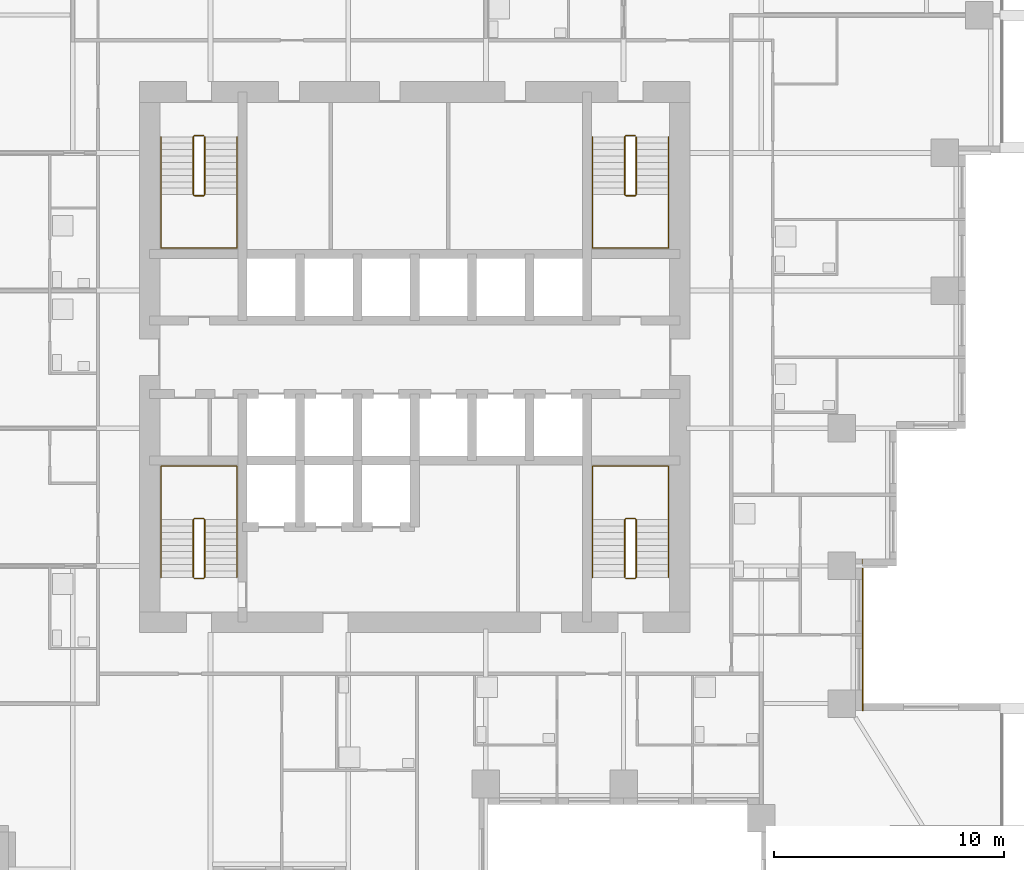
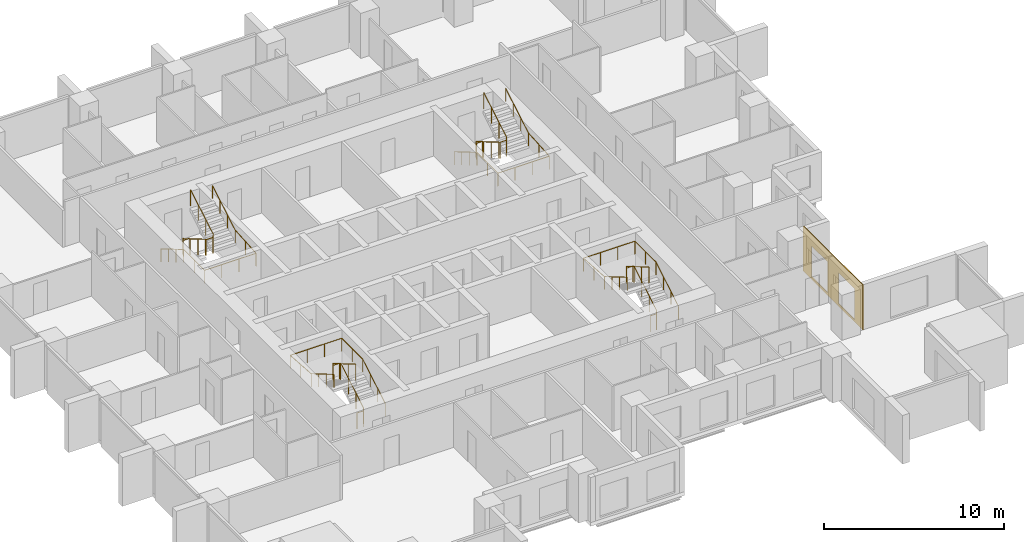
# One storey, part 9 of 10: 8 railings, 1 covering.
"""IFC4 building model written with IfcOpenShell, lengths in metres."""

from ifc_helpers import new_model, si_unit, direction, frame, origin, origin_2d, place, context, subcontext, project, spatial, polyline, circle, outline, extrude, material, layer, layer_set, type_object, element, save


model = new_model("IFC4")

# Units and contexts
model_context = context("Model", 3, precision=1e-05, world=origin(), true_north=direction((0.0, 1.0)))
body_context = subcontext(model_context, "Body", "Model", "MODEL_VIEW")
ifc_project = project(units=[si_unit("LENGTHUNIT", "METRE"), si_unit("AREAUNIT", "SQUARE_METRE"), si_unit("VOLUMEUNIT", "CUBIC_METRE"), si_unit("PLANEANGLEUNIT", "RADIAN"), si_unit("MASSUNIT", "GRAM", prefix="KILO")], contexts=[model_context])

# Site, building, storey
site_placement = place(None, origin())
site = spatial("IfcSite", under=ifc_project, at=site_placement, CompositionType="ELEMENT")
building_placement = place(site_placement, origin())
building = spatial("IfcBuilding", under=site, at=building_placement, Name="Amberfall Residences", CompositionType="ELEMENT")
storey_placement = place(building_placement, frame((0.0, 0.0, 49.89990234375)))
storey = spatial("IfcBuildingStorey", under=building, at=storey_placement, Name="L13", CompositionType="ELEMENT", Elevation=49.89990234375)

# Covering
ifc_material_1 = material(Name="Pale limestone cladding", Category="masonry")
ifc_layer = layer(ifc_material_1, 0.050048828125)
ifc_layer_set = layer_set([ifc_layer], Name="Limestone fascia 50")
covering_type = type_object("IfcCoveringType", Name="Limestone fascia 50", PredefinedType="CLADDING", material=ifc_layer_set)
covering_placement = place(storey_placement, frame((94.0, 30.10009765625, 3.050048828125), z_axis=(-1.0, 0.0, 0.0), x_axis=(0.0, 1.0, 0.0)))
element("IfcCovering", 1, at=covering_placement, inside=storey, type_object=covering_type, Name="Pale limestone cladding L13 E", PredefinedType="CLADDING", context=body_context, shape_type="SweptSolid", body=[
    extrude(outline(polyline([(0.0, 0.0), (6.599853515625, 0.0), (6.599853515625, 3.050048828125), (0.0, 3.050048828125), (0.0, 0.0)]), holes=[polyline([(0.89990234375, 0.800048828125), (2.699951171875, 0.800048828125), (2.699951171875, 2.89990234375), (0.89990234375, 2.89990234375), (0.89990234375, 0.800048828125)]), polyline([(3.89990234375, 0.800048828125), (5.699951171875, 0.800048828125), (5.699951171875, 2.89990234375), (3.89990234375, 2.89990234375), (3.89990234375, 0.800048828125)])]), origin(), (0.0, 0.0, -1.0), 0.050048828125),
])

# Railings
ifc_material_2 = material(Name="Stainless steel 316", Category="steel")
railing_type_1 = type_object("IfcRailingType", Name="Stair guard 1100", PredefinedType="GUARDRAIL", material=ifc_material_2)
railing_1_placement = place(storey_placement, frame((64.89990234375, 35.85009765625, 0.0)))
element("IfcRailing", 2, at=railing_1_placement, inside=storey, type_object=railing_type_1, Name="L13 stair 1 guard", PredefinedType="GUARDRAIL", context=body_context, shape_type="SweptSolid", body=[
    extrude(circle(Radius=0.02392578125, at=origin_2d()), frame((0.0, 0.0, 1.076171875), z_axis=(1.0, 0.0, 0.0), x_axis=(0.0, 1.0, 0.0)), (0.0, 0.0, 1.0), 0.400146484375),
    extrude(circle(Radius=0.02392578125, at=origin_2d()), frame((0.400146484375, 0.0, 1.076171875), z_axis=(0.278810427259, 0.277450376394, 0.919394384522), x_axis=(-0.705375805398, 0.708833529934, 0.0)), (0.0, 0.0, 1.0), 0.179443359375),
    extrude(circle(Radius=0.02392578125, at=origin_2d()), frame((0.4501953125, 0.0498046875, 1.2412109375), z_axis=(0.0, 0.86152411907, 0.507716645641), x_axis=(-1.0, 0.0, 0.0)), (0.0, 0.0, 1.0), 2.925048828125),
    extrude(circle(Radius=0.02392578125, at=origin_2d()), frame((0.4501953125, 2.56982421875, 2.72607421875), z_axis=(-0.707106781187, 0.707106781187, 0.0), x_axis=(-0.707106781187, -0.707106781187, 0.0)), (0.0, 0.0, 1.0), 0.07080078125),
    extrude(circle(Radius=0.02392578125, at=origin_2d()), frame((0.400146484375, 2.619873046875, 2.72607421875), z_axis=(-1.0, 0.0, 0.0), x_axis=(0.0, -1.0, 0.0)), (0.0, 0.0, 1.0), 0.400146484375),
    extrude(circle(Radius=0.02392578125, at=origin_2d()), frame((0.0, 2.619873046875, 2.72607421875), z_axis=(-0.277450376394, -0.278810427259, 0.919394384522), x_axis=(0.708833529934, -0.705375805398, 0.0)), (0.0, 0.0, 1.0), 0.179443359375),
    extrude(circle(Radius=0.02392578125, at=origin_2d()), frame((-0.0498046875, 2.56982421875, 2.89111328125), z_axis=(0.0, -0.861560626758, 0.507654692109), x_axis=(1.0, 0.0, 0.0)), (0.0, 0.0, 1.0), 2.925048828125),
    extrude(circle(Radius=0.02099609375, at=origin_2d()), origin(), (0.0, 0.0, 1.0), 1.052001953125),
    extrude(circle(Radius=0.02099609375, at=origin_2d()), frame((0.400146484375, 0.0, 0.0)), (0.0, 0.0, 1.0), 1.052001953125),
    extrude(circle(Radius=0.02099609375, at=origin_2d()), frame((0.4501953125, 0.0498046875, 0.1650390625)), (0.0, 0.0, 1.0), 1.052001953125),
    extrude(circle(Radius=0.02099609375, at=origin_2d()), frame((0.4501953125, 0.889892578125, 0.66015625)), (0.0, 0.0, 1.0), 1.052001953125),
    extrude(circle(Radius=0.02099609375, at=origin_2d()), frame((0.4501953125, 1.729736328125, 1.155029296875)), (0.0, 0.0, 1.0), 1.052001953125),
    extrude(circle(Radius=0.02099609375, at=origin_2d()), frame((0.4501953125, 2.56982421875, 1.650146484375)), (0.0, 0.0, 1.0), 1.052001953125),
    extrude(circle(Radius=0.02099609375, at=origin_2d()), frame((0.400146484375, 2.619873046875, 1.650146484375)), (0.0, 0.0, 1.0), 1.052001953125),
    extrude(circle(Radius=0.02099609375, at=origin_2d()), frame((0.0, 2.619873046875, 1.650146484375)), (0.0, 0.0, 1.0), 1.052001953125),
    extrude(circle(Radius=0.02099609375, at=origin_2d()), frame((-0.0498046875, 2.56982421875, 1.815185546875)), (0.0, 0.0, 1.0), 1.052001953125),
    extrude(circle(Radius=0.02099609375, at=origin_2d()), frame((-0.0498046875, 1.729736328125, 2.31005859375)), (0.0, 0.0, 1.0), 1.052001953125),
    extrude(circle(Radius=0.02099609375, at=origin_2d()), frame((-0.0498046875, 0.889892578125, 2.80517578125)), (0.0, 0.0, 1.0), 1.052001953125),
    extrude(circle(Radius=0.02099609375, at=origin_2d()), frame((-0.0498046875, 0.0498046875, 3.300048828125)), (0.0, 0.0, 1.0), 1.052001953125),
])
railing_2_placement = place(storey_placement, frame((83.699951171875, 35.85009765625, 0.0)))
element("IfcRailing", 3, at=railing_2_placement, inside=storey, type_object=railing_type_1, Name="L13 stair 2 guard", PredefinedType="GUARDRAIL", context=body_context, shape_type="SweptSolid", body=[
    extrude(circle(Radius=0.02392578125, at=origin_2d()), frame((0.0, 0.0, 1.076171875), z_axis=(1.0, 0.0, 0.0), x_axis=(0.0, 1.0, 0.0)), (0.0, 0.0, 1.0), 0.400146484375),
    extrude(circle(Radius=0.02392578125, at=origin_2d()), frame((0.400146484375, 0.0, 1.076171875), z_axis=(0.27755538755, 0.27755538755, 0.919742362667), x_axis=(-0.707106781187, 0.707106781187, 0.0)), (0.0, 0.0, 1.0), 0.179443359375),
    extrude(circle(Radius=0.02392578125, at=origin_2d()), frame((0.449951171875, 0.0498046875, 1.2412109375), z_axis=(0.0, 0.86152411907, 0.507716645641), x_axis=(-1.0, 0.0, 0.0)), (0.0, 0.0, 1.0), 2.925048828125),
    extrude(circle(Radius=0.02392578125, at=origin_2d()), frame((0.449951171875, 2.56982421875, 2.72607421875), z_axis=(-0.705375805398, 0.708833529934, 0.0), x_axis=(-0.708833529934, -0.705375805398, 0.0)), (0.0, 0.0, 1.0), 0.070556640625),
    extrude(circle(Radius=0.02392578125, at=origin_2d()), frame((0.400146484375, 2.619873046875, 2.72607421875), z_axis=(-1.0, 0.0, 0.0), x_axis=(0.0, -1.0, 0.0)), (0.0, 0.0, 1.0), 0.400146484375),
    extrude(circle(Radius=0.02392578125, at=origin_2d()), frame((0.0, 2.619873046875, 2.72607421875), z_axis=(-0.278705021027, -0.278705021027, 0.919046801044), x_axis=(0.707106781187, -0.707106781187, 0.0)), (0.0, 0.0, 1.0), 0.1796875),
    extrude(circle(Radius=0.02392578125, at=origin_2d()), frame((-0.050048828125, 2.56982421875, 2.89111328125), z_axis=(0.0, -0.861560626758, 0.507654692109), x_axis=(1.0, 0.0, 0.0)), (0.0, 0.0, 1.0), 2.925048828125),
    extrude(circle(Radius=0.02099609375, at=origin_2d()), origin(), (0.0, 0.0, 1.0), 1.052001953125),
    extrude(circle(Radius=0.02099609375, at=origin_2d()), frame((0.400146484375, 0.0, 0.0)), (0.0, 0.0, 1.0), 1.052001953125),
    extrude(circle(Radius=0.02099609375, at=origin_2d()), frame((0.449951171875, 0.0498046875, 0.1650390625)), (0.0, 0.0, 1.0), 1.052001953125),
    extrude(circle(Radius=0.02099609375, at=origin_2d()), frame((0.449951171875, 0.889892578125, 0.66015625)), (0.0, 0.0, 1.0), 1.052001953125),
    extrude(circle(Radius=0.02099609375, at=origin_2d()), frame((0.449951171875, 1.729736328125, 1.155029296875)), (0.0, 0.0, 1.0), 1.052001953125),
    extrude(circle(Radius=0.02099609375, at=origin_2d()), frame((0.449951171875, 2.56982421875, 1.650146484375)), (0.0, 0.0, 1.0), 1.052001953125),
    extrude(circle(Radius=0.02099609375, at=origin_2d()), frame((0.400146484375, 2.619873046875, 1.650146484375)), (0.0, 0.0, 1.0), 1.052001953125),
    extrude(circle(Radius=0.02099609375, at=origin_2d()), frame((0.0, 2.619873046875, 1.650146484375)), (0.0, 0.0, 1.0), 1.052001953125),
    extrude(circle(Radius=0.02099609375, at=origin_2d()), frame((-0.050048828125, 2.56982421875, 1.815185546875)), (0.0, 0.0, 1.0), 1.052001953125),
    extrude(circle(Radius=0.02099609375, at=origin_2d()), frame((-0.050048828125, 1.729736328125, 2.31005859375)), (0.0, 0.0, 1.0), 1.052001953125),
    extrude(circle(Radius=0.02099609375, at=origin_2d()), frame((-0.050048828125, 0.889892578125, 2.80517578125)), (0.0, 0.0, 1.0), 1.052001953125),
    extrude(circle(Radius=0.02099609375, at=origin_2d()), frame((-0.050048828125, 0.0498046875, 3.300048828125)), (0.0, 0.0, 1.0), 1.052001953125),
])
railing_3_placement = place(storey_placement, frame((84.10009765625, 55.14990234375, 0.0)))
element("IfcRailing", 4, at=railing_3_placement, inside=storey, type_object=railing_type_1, Name="L13 stair 3 guard", PredefinedType="GUARDRAIL", context=body_context, shape_type="SweptSolid", body=[
    extrude(circle(Radius=0.02392578125, at=origin_2d()), frame((0.0, 0.0, 1.076171875), z_axis=(-1.0, 0.0, 0.0), x_axis=(0.0, -1.0, 0.0)), (0.0, 0.0, 1.0), 0.400146484375),
    extrude(circle(Radius=0.02392578125, at=origin_2d()), frame((-0.400146484375, 0.0, 1.076171875), z_axis=(-0.278810427259, -0.277450376394, 0.919394384522), x_axis=(0.705375805398, -0.708833529934, 0.0)), (0.0, 0.0, 1.0), 0.179443359375),
    extrude(circle(Radius=0.02392578125, at=origin_2d()), frame((-0.4501953125, -0.0498046875, 1.2412109375), z_axis=(0.0, -0.86152411907, 0.507716645641), x_axis=(1.0, 0.0, 0.0)), (0.0, 0.0, 1.0), 2.925048828125),
    extrude(circle(Radius=0.02392578125, at=origin_2d()), frame((-0.4501953125, -2.56982421875, 2.72607421875), z_axis=(0.707106781187, -0.707106781187, 0.0), x_axis=(0.707106781187, 0.707106781187, 0.0)), (0.0, 0.0, 1.0), 0.07080078125),
    extrude(circle(Radius=0.02392578125, at=origin_2d()), frame((-0.400146484375, -2.619873046875, 2.72607421875), z_axis=(1.0, 0.0, 0.0), x_axis=(0.0, 1.0, 0.0)), (0.0, 0.0, 1.0), 0.400146484375),
    extrude(circle(Radius=0.02392578125, at=origin_2d()), frame((0.0, -2.619873046875, 2.72607421875), z_axis=(0.277450376394, 0.278810427259, 0.919394384522), x_axis=(-0.708833529934, 0.705375805398, 0.0)), (0.0, 0.0, 1.0), 0.179443359375),
    extrude(circle(Radius=0.02392578125, at=origin_2d()), frame((0.0498046875, -2.56982421875, 2.89111328125), z_axis=(0.0, 0.861560626758, 0.507654692109), x_axis=(-1.0, 0.0, 0.0)), (0.0, 0.0, 1.0), 2.925048828125),
    extrude(circle(Radius=0.02099609375, at=origin_2d()), origin(), (0.0, 0.0, 1.0), 1.052001953125),
    extrude(circle(Radius=0.02099609375, at=origin_2d()), frame((-0.400146484375, 0.0, 0.0)), (0.0, 0.0, 1.0), 1.052001953125),
    extrude(circle(Radius=0.02099609375, at=origin_2d()), frame((-0.4501953125, -0.0498046875, 0.1650390625)), (0.0, 0.0, 1.0), 1.052001953125),
    extrude(circle(Radius=0.02099609375, at=origin_2d()), frame((-0.4501953125, -0.889892578125, 0.66015625)), (0.0, 0.0, 1.0), 1.052001953125),
    extrude(circle(Radius=0.02099609375, at=origin_2d()), frame((-0.4501953125, -1.729736328125, 1.155029296875)), (0.0, 0.0, 1.0), 1.052001953125),
    extrude(circle(Radius=0.02099609375, at=origin_2d()), frame((-0.4501953125, -2.56982421875, 1.650146484375)), (0.0, 0.0, 1.0), 1.052001953125),
    extrude(circle(Radius=0.02099609375, at=origin_2d()), frame((-0.400146484375, -2.619873046875, 1.650146484375)), (0.0, 0.0, 1.0), 1.052001953125),
    extrude(circle(Radius=0.02099609375, at=origin_2d()), frame((0.0, -2.619873046875, 1.650146484375)), (0.0, 0.0, 1.0), 1.052001953125),
    extrude(circle(Radius=0.02099609375, at=origin_2d()), frame((0.0498046875, -2.56982421875, 1.815185546875)), (0.0, 0.0, 1.0), 1.052001953125),
    extrude(circle(Radius=0.02099609375, at=origin_2d()), frame((0.0498046875, -1.729736328125, 2.31005859375)), (0.0, 0.0, 1.0), 1.052001953125),
    extrude(circle(Radius=0.02099609375, at=origin_2d()), frame((0.0498046875, -0.889892578125, 2.80517578125)), (0.0, 0.0, 1.0), 1.052001953125),
    extrude(circle(Radius=0.02099609375, at=origin_2d()), frame((0.0498046875, -0.0498046875, 3.300048828125)), (0.0, 0.0, 1.0), 1.052001953125),
])
railing_4_placement = place(storey_placement, frame((65.300048828125, 55.14990234375, 0.0)))
element("IfcRailing", 5, at=railing_4_placement, inside=storey, type_object=railing_type_1, Name="L13 stair 4 guard", PredefinedType="GUARDRAIL", context=body_context, shape_type="SweptSolid", body=[
    extrude(circle(Radius=0.02392578125, at=origin_2d()), frame((0.0, 0.0, 1.076171875), z_axis=(-1.0, 0.0, 0.0), x_axis=(0.0, -1.0, 0.0)), (0.0, 0.0, 1.0), 0.400146484375),
    extrude(circle(Radius=0.02392578125, at=origin_2d()), frame((-0.400146484375, 0.0, 1.076171875), z_axis=(-0.27755538755, -0.27755538755, 0.919742362667), x_axis=(0.707106781187, -0.707106781187, 0.0)), (0.0, 0.0, 1.0), 0.179443359375),
    extrude(circle(Radius=0.02392578125, at=origin_2d()), frame((-0.449951171875, -0.0498046875, 1.2412109375), z_axis=(0.0, -0.86152411907, 0.507716645641), x_axis=(1.0, 0.0, 0.0)), (0.0, 0.0, 1.0), 2.925048828125),
    extrude(circle(Radius=0.02392578125, at=origin_2d()), frame((-0.449951171875, -2.56982421875, 2.72607421875), z_axis=(0.705375805398, -0.708833529934, 0.0), x_axis=(0.708833529934, 0.705375805398, 0.0)), (0.0, 0.0, 1.0), 0.070556640625),
    extrude(circle(Radius=0.02392578125, at=origin_2d()), frame((-0.400146484375, -2.619873046875, 2.72607421875), z_axis=(1.0, 0.0, 0.0), x_axis=(0.0, 1.0, 0.0)), (0.0, 0.0, 1.0), 0.400146484375),
    extrude(circle(Radius=0.02392578125, at=origin_2d()), frame((0.0, -2.619873046875, 2.72607421875), z_axis=(0.278705021027, 0.278705021027, 0.919046801044), x_axis=(-0.707106781187, 0.707106781187, 0.0)), (0.0, 0.0, 1.0), 0.1796875),
    extrude(circle(Radius=0.02392578125, at=origin_2d()), frame((0.050048828125, -2.56982421875, 2.89111328125), z_axis=(0.0, 0.861560626758, 0.507654692109), x_axis=(-1.0, 0.0, 0.0)), (0.0, 0.0, 1.0), 2.925048828125),
    extrude(circle(Radius=0.02099609375, at=origin_2d()), origin(), (0.0, 0.0, 1.0), 1.052001953125),
    extrude(circle(Radius=0.02099609375, at=origin_2d()), frame((-0.400146484375, 0.0, 0.0)), (0.0, 0.0, 1.0), 1.052001953125),
    extrude(circle(Radius=0.02099609375, at=origin_2d()), frame((-0.449951171875, -0.0498046875, 0.1650390625)), (0.0, 0.0, 1.0), 1.052001953125),
    extrude(circle(Radius=0.02099609375, at=origin_2d()), frame((-0.449951171875, -0.889892578125, 0.66015625)), (0.0, 0.0, 1.0), 1.052001953125),
    extrude(circle(Radius=0.02099609375, at=origin_2d()), frame((-0.449951171875, -1.729736328125, 1.155029296875)), (0.0, 0.0, 1.0), 1.052001953125),
    extrude(circle(Radius=0.02099609375, at=origin_2d()), frame((-0.449951171875, -2.56982421875, 1.650146484375)), (0.0, 0.0, 1.0), 1.052001953125),
    extrude(circle(Radius=0.02099609375, at=origin_2d()), frame((-0.400146484375, -2.619873046875, 1.650146484375)), (0.0, 0.0, 1.0), 1.052001953125),
    extrude(circle(Radius=0.02099609375, at=origin_2d()), frame((0.0, -2.619873046875, 1.650146484375)), (0.0, 0.0, 1.0), 1.052001953125),
    extrude(circle(Radius=0.02099609375, at=origin_2d()), frame((0.050048828125, -2.56982421875, 1.815185546875)), (0.0, 0.0, 1.0), 1.052001953125),
    extrude(circle(Radius=0.02099609375, at=origin_2d()), frame((0.050048828125, -1.729736328125, 2.31005859375)), (0.0, 0.0, 1.0), 1.052001953125),
    extrude(circle(Radius=0.02099609375, at=origin_2d()), frame((0.050048828125, -0.889892578125, 2.80517578125)), (0.0, 0.0, 1.0), 1.052001953125),
    extrude(circle(Radius=0.02099609375, at=origin_2d()), frame((0.050048828125, -0.0498046875, 3.300048828125)), (0.0, 0.0, 1.0), 1.052001953125),
])
railing_type_2 = type_object("IfcRailingType", Name="Stair handrail 900", PredefinedType="HANDRAIL", material=ifc_material_2)
railing_5_placement = place(storey_placement, frame((66.75, 35.89990234375, 0.1650390625)))
element("IfcRailing", 6, at=railing_5_placement, inside=storey, type_object=railing_type_2, Name="L13 stair 1 handrail", PredefinedType="HANDRAIL", context=body_context, shape_type="SweptSolid", body=[
    extrude(circle(Radius=0.02392578125, at=origin_2d()), frame((0.0, 0.0, 0.8759765625), z_axis=(0.0, 0.86152411907, 0.507716645641), x_axis=(-1.0, 0.0, 0.0)), (0.0, 0.0, 1.0), 2.925048828125),
    extrude(circle(Radius=0.02392578125, at=origin_2d()), frame((0.0, 2.52001953125, 2.36083984375), z_axis=(0.0, 1.0, 0.0), x_axis=(-1.0, 0.0, 0.0)), (0.0, 0.0, 1.0), 2.330078125),
    extrude(circle(Radius=0.02392578125, at=origin_2d()), frame((0.0, 4.85009765625, 2.36083984375), z_axis=(-1.0, 0.0, 0.0), x_axis=(0.0, -1.0, 0.0)), (0.0, 0.0, 1.0), 3.300048828125),
    extrude(circle(Radius=0.02392578125, at=origin_2d()), frame((-3.300048828125, 4.85009765625, 2.36083984375), z_axis=(0.0, -0.997500965899, 0.07065283455), x_axis=(1.0, 0.0, 0.0)), (0.0, 0.0, 1.0), 2.3359375),
    extrude(circle(Radius=0.02392578125, at=origin_2d()), frame((-3.300048828125, 2.52001953125, 2.52587890625), z_axis=(0.0, -0.861560626758, 0.507654692109), x_axis=(1.0, 0.0, 0.0)), (0.0, 0.0, 1.0), 2.925048828125),
    extrude(circle(Radius=0.02099609375, at=origin_2d()), origin(), (0.0, 0.0, 1.0), 0.851806640625),
    extrude(circle(Radius=0.02099609375, at=origin_2d()), frame((0.0, 0.840087890625, 0.4951171875)), (0.0, 0.0, 1.0), 0.851806640625),
    extrude(circle(Radius=0.02099609375, at=origin_2d()), frame((0.0, 1.679931640625, 0.989990234375)), (0.0, 0.0, 1.0), 0.851806640625),
    extrude(circle(Radius=0.02099609375, at=origin_2d()), frame((0.0, 2.52001953125, 1.485107421875)), (0.0, 0.0, 1.0), 0.851806640625),
    extrude(circle(Radius=0.02099609375, at=origin_2d()), frame((0.0, 3.68505859375, 1.485107421875)), (0.0, 0.0, 1.0), 0.851806640625),
    extrude(circle(Radius=0.02099609375, at=origin_2d()), frame((0.0, 4.85009765625, 1.485107421875)), (0.0, 0.0, 1.0), 0.851806640625),
    extrude(circle(Radius=0.02099609375, at=origin_2d()), frame((-1.10009765625, 4.85009765625, 1.485107421875)), (0.0, 0.0, 1.0), 0.851806640625),
    extrude(circle(Radius=0.02099609375, at=origin_2d()), frame((-2.199951171875, 4.85009765625, 1.485107421875)), (0.0, 0.0, 1.0), 0.851806640625),
    extrude(circle(Radius=0.02099609375, at=origin_2d()), frame((-3.300048828125, 4.85009765625, 1.485107421875)), (0.0, 0.0, 1.0), 0.851806640625),
    extrude(circle(Radius=0.02099609375, at=origin_2d()), frame((-3.300048828125, 3.68505859375, 1.567626953125)), (0.0, 0.0, 1.0), 0.851806640625),
    extrude(circle(Radius=0.02099609375, at=origin_2d()), frame((-3.300048828125, 2.52001953125, 1.650146484375)), (0.0, 0.0, 1.0), 0.851806640625),
    extrude(circle(Radius=0.02099609375, at=origin_2d()), frame((-3.300048828125, 1.679931640625, 2.14501953125)), (0.0, 0.0, 1.0), 0.851806640625),
    extrude(circle(Radius=0.02099609375, at=origin_2d()), frame((-3.300048828125, 0.840087890625, 2.64013671875)), (0.0, 0.0, 1.0), 0.851806640625),
    extrude(circle(Radius=0.02099609375, at=origin_2d()), frame((-3.300048828125, 0.0, 3.135009765625)), (0.0, 0.0, 1.0), 0.851806640625),
])
railing_6_placement = place(storey_placement, frame((85.550048828125, 35.89990234375, 0.1650390625)))
element("IfcRailing", 7, at=railing_6_placement, inside=storey, type_object=railing_type_2, Name="L13 stair 2 handrail", PredefinedType="HANDRAIL", context=body_context, shape_type="SweptSolid", body=[
    extrude(circle(Radius=0.02392578125, at=origin_2d()), frame((0.0, 0.0, 0.8759765625), z_axis=(0.0, 0.86152411907, 0.507716645641), x_axis=(-1.0, 0.0, 0.0)), (0.0, 0.0, 1.0), 2.925048828125),
    extrude(circle(Radius=0.02392578125, at=origin_2d()), frame((0.0, 2.52001953125, 2.36083984375), z_axis=(0.0, 1.0, 0.0), x_axis=(-1.0, 0.0, 0.0)), (0.0, 0.0, 1.0), 2.330078125),
    extrude(circle(Radius=0.02392578125, at=origin_2d()), frame((0.0, 4.85009765625, 2.36083984375), z_axis=(-1.0, 0.0, 0.0), x_axis=(0.0, -1.0, 0.0)), (0.0, 0.0, 1.0), 3.300048828125),
    extrude(circle(Radius=0.02392578125, at=origin_2d()), frame((-3.300048828125, 4.85009765625, 2.36083984375), z_axis=(0.0, -0.997500965899, 0.07065283455), x_axis=(1.0, 0.0, 0.0)), (0.0, 0.0, 1.0), 2.3359375),
    extrude(circle(Radius=0.02392578125, at=origin_2d()), frame((-3.300048828125, 2.52001953125, 2.52587890625), z_axis=(0.0, -0.861560626758, 0.507654692109), x_axis=(1.0, 0.0, 0.0)), (0.0, 0.0, 1.0), 2.925048828125),
    extrude(circle(Radius=0.02099609375, at=origin_2d()), origin(), (0.0, 0.0, 1.0), 0.851806640625),
    extrude(circle(Radius=0.02099609375, at=origin_2d()), frame((0.0, 0.840087890625, 0.4951171875)), (0.0, 0.0, 1.0), 0.851806640625),
    extrude(circle(Radius=0.02099609375, at=origin_2d()), frame((0.0, 1.679931640625, 0.989990234375)), (0.0, 0.0, 1.0), 0.851806640625),
    extrude(circle(Radius=0.02099609375, at=origin_2d()), frame((0.0, 2.52001953125, 1.485107421875)), (0.0, 0.0, 1.0), 0.851806640625),
    extrude(circle(Radius=0.02099609375, at=origin_2d()), frame((0.0, 3.68505859375, 1.485107421875)), (0.0, 0.0, 1.0), 0.851806640625),
    extrude(circle(Radius=0.02099609375, at=origin_2d()), frame((0.0, 4.85009765625, 1.485107421875)), (0.0, 0.0, 1.0), 0.851806640625),
    extrude(circle(Radius=0.02099609375, at=origin_2d()), frame((-1.10009765625, 4.85009765625, 1.485107421875)), (0.0, 0.0, 1.0), 0.851806640625),
    extrude(circle(Radius=0.02099609375, at=origin_2d()), frame((-2.199951171875, 4.85009765625, 1.485107421875)), (0.0, 0.0, 1.0), 0.851806640625),
    extrude(circle(Radius=0.02099609375, at=origin_2d()), frame((-3.300048828125, 4.85009765625, 1.485107421875)), (0.0, 0.0, 1.0), 0.851806640625),
    extrude(circle(Radius=0.02099609375, at=origin_2d()), frame((-3.300048828125, 3.68505859375, 1.567626953125)), (0.0, 0.0, 1.0), 0.851806640625),
    extrude(circle(Radius=0.02099609375, at=origin_2d()), frame((-3.300048828125, 2.52001953125, 1.650146484375)), (0.0, 0.0, 1.0), 0.851806640625),
    extrude(circle(Radius=0.02099609375, at=origin_2d()), frame((-3.300048828125, 1.679931640625, 2.14501953125)), (0.0, 0.0, 1.0), 0.851806640625),
    extrude(circle(Radius=0.02099609375, at=origin_2d()), frame((-3.300048828125, 0.840087890625, 2.64013671875)), (0.0, 0.0, 1.0), 0.851806640625),
    extrude(circle(Radius=0.02099609375, at=origin_2d()), frame((-3.300048828125, 0.0, 3.135009765625)), (0.0, 0.0, 1.0), 0.851806640625),
])
railing_7_placement = place(storey_placement, frame((82.25, 55.10009765625, 0.1650390625)))
element("IfcRailing", 8, at=railing_7_placement, inside=storey, type_object=railing_type_2, Name="L13 stair 3 handrail", PredefinedType="HANDRAIL", context=body_context, shape_type="SweptSolid", body=[
    extrude(circle(Radius=0.02392578125, at=origin_2d()), frame((0.0, 0.0, 0.8759765625), z_axis=(0.0, -0.86152411907, 0.507716645641), x_axis=(1.0, 0.0, 0.0)), (0.0, 0.0, 1.0), 2.925048828125),
    extrude(circle(Radius=0.02392578125, at=origin_2d()), frame((0.0, -2.52001953125, 2.36083984375), z_axis=(0.0, -1.0, 0.0), x_axis=(1.0, 0.0, 0.0)), (0.0, 0.0, 1.0), 2.330078125),
    extrude(circle(Radius=0.02392578125, at=origin_2d()), frame((0.0, -4.85009765625, 2.36083984375), z_axis=(1.0, 0.0, 0.0), x_axis=(0.0, 1.0, 0.0)), (0.0, 0.0, 1.0), 3.300048828125),
    extrude(circle(Radius=0.02392578125, at=origin_2d()), frame((3.300048828125, -4.85009765625, 2.36083984375), z_axis=(0.0, 0.997500965899, 0.07065283455), x_axis=(-1.0, 0.0, 0.0)), (0.0, 0.0, 1.0), 2.3359375),
    extrude(circle(Radius=0.02392578125, at=origin_2d()), frame((3.300048828125, -2.52001953125, 2.52587890625), z_axis=(0.0, 0.861560626758, 0.507654692109), x_axis=(-1.0, 0.0, 0.0)), (0.0, 0.0, 1.0), 2.925048828125),
    extrude(circle(Radius=0.02099609375, at=origin_2d()), origin(), (0.0, 0.0, 1.0), 0.851806640625),
    extrude(circle(Radius=0.02099609375, at=origin_2d()), frame((0.0, -0.840087890625, 0.4951171875)), (0.0, 0.0, 1.0), 0.851806640625),
    extrude(circle(Radius=0.02099609375, at=origin_2d()), frame((0.0, -1.679931640625, 0.989990234375)), (0.0, 0.0, 1.0), 0.851806640625),
    extrude(circle(Radius=0.02099609375, at=origin_2d()), frame((0.0, -2.52001953125, 1.485107421875)), (0.0, 0.0, 1.0), 0.851806640625),
    extrude(circle(Radius=0.02099609375, at=origin_2d()), frame((0.0, -3.68505859375, 1.485107421875)), (0.0, 0.0, 1.0), 0.851806640625),
    extrude(circle(Radius=0.02099609375, at=origin_2d()), frame((0.0, -4.85009765625, 1.485107421875)), (0.0, 0.0, 1.0), 0.851806640625),
    extrude(circle(Radius=0.02099609375, at=origin_2d()), frame((1.10009765625, -4.85009765625, 1.485107421875)), (0.0, 0.0, 1.0), 0.851806640625),
    extrude(circle(Radius=0.02099609375, at=origin_2d()), frame((2.199951171875, -4.85009765625, 1.485107421875)), (0.0, 0.0, 1.0), 0.851806640625),
    extrude(circle(Radius=0.02099609375, at=origin_2d()), frame((3.300048828125, -4.85009765625, 1.485107421875)), (0.0, 0.0, 1.0), 0.851806640625),
    extrude(circle(Radius=0.02099609375, at=origin_2d()), frame((3.300048828125, -3.68505859375, 1.567626953125)), (0.0, 0.0, 1.0), 0.851806640625),
    extrude(circle(Radius=0.02099609375, at=origin_2d()), frame((3.300048828125, -2.52001953125, 1.650146484375)), (0.0, 0.0, 1.0), 0.851806640625),
    extrude(circle(Radius=0.02099609375, at=origin_2d()), frame((3.300048828125, -1.679931640625, 2.14501953125)), (0.0, 0.0, 1.0), 0.851806640625),
    extrude(circle(Radius=0.02099609375, at=origin_2d()), frame((3.300048828125, -0.840087890625, 2.64013671875)), (0.0, 0.0, 1.0), 0.851806640625),
    extrude(circle(Radius=0.02099609375, at=origin_2d()), frame((3.300048828125, 0.0, 3.135009765625)), (0.0, 0.0, 1.0), 0.851806640625),
])
railing_8_placement = place(storey_placement, frame((63.449951171875, 55.10009765625, 0.1650390625)))
element("IfcRailing", 9, at=railing_8_placement, inside=storey, type_object=railing_type_2, Name="L13 stair 4 handrail", PredefinedType="HANDRAIL", context=body_context, shape_type="SweptSolid", body=[
    extrude(circle(Radius=0.02392578125, at=origin_2d()), frame((0.0, 0.0, 0.8759765625), z_axis=(0.0, -0.86152411907, 0.507716645641), x_axis=(1.0, 0.0, 0.0)), (0.0, 0.0, 1.0), 2.925048828125),
    extrude(circle(Radius=0.02392578125, at=origin_2d()), frame((0.0, -2.52001953125, 2.36083984375), z_axis=(0.0, -1.0, 0.0), x_axis=(1.0, 0.0, 0.0)), (0.0, 0.0, 1.0), 2.330078125),
    extrude(circle(Radius=0.02392578125, at=origin_2d()), frame((0.0, -4.85009765625, 2.36083984375), z_axis=(1.0, 0.0, 0.0), x_axis=(0.0, 1.0, 0.0)), (0.0, 0.0, 1.0), 3.300048828125),
    extrude(circle(Radius=0.02392578125, at=origin_2d()), frame((3.300048828125, -4.85009765625, 2.36083984375), z_axis=(0.0, 0.997500965899, 0.07065283455), x_axis=(-1.0, 0.0, 0.0)), (0.0, 0.0, 1.0), 2.3359375),
    extrude(circle(Radius=0.02392578125, at=origin_2d()), frame((3.300048828125, -2.52001953125, 2.52587890625), z_axis=(0.0, 0.861560626758, 0.507654692109), x_axis=(-1.0, 0.0, 0.0)), (0.0, 0.0, 1.0), 2.925048828125),
    extrude(circle(Radius=0.02099609375, at=origin_2d()), origin(), (0.0, 0.0, 1.0), 0.851806640625),
    extrude(circle(Radius=0.02099609375, at=origin_2d()), frame((0.0, -0.840087890625, 0.4951171875)), (0.0, 0.0, 1.0), 0.851806640625),
    extrude(circle(Radius=0.02099609375, at=origin_2d()), frame((0.0, -1.679931640625, 0.989990234375)), (0.0, 0.0, 1.0), 0.851806640625),
    extrude(circle(Radius=0.02099609375, at=origin_2d()), frame((0.0, -2.52001953125, 1.485107421875)), (0.0, 0.0, 1.0), 0.851806640625),
    extrude(circle(Radius=0.02099609375, at=origin_2d()), frame((0.0, -3.68505859375, 1.485107421875)), (0.0, 0.0, 1.0), 0.851806640625),
    extrude(circle(Radius=0.02099609375, at=origin_2d()), frame((0.0, -4.85009765625, 1.485107421875)), (0.0, 0.0, 1.0), 0.851806640625),
    extrude(circle(Radius=0.02099609375, at=origin_2d()), frame((1.10009765625, -4.85009765625, 1.485107421875)), (0.0, 0.0, 1.0), 0.851806640625),
    extrude(circle(Radius=0.02099609375, at=origin_2d()), frame((2.199951171875, -4.85009765625, 1.485107421875)), (0.0, 0.0, 1.0), 0.851806640625),
    extrude(circle(Radius=0.02099609375, at=origin_2d()), frame((3.300048828125, -4.85009765625, 1.485107421875)), (0.0, 0.0, 1.0), 0.851806640625),
    extrude(circle(Radius=0.02099609375, at=origin_2d()), frame((3.300048828125, -3.68505859375, 1.567626953125)), (0.0, 0.0, 1.0), 0.851806640625),
    extrude(circle(Radius=0.02099609375, at=origin_2d()), frame((3.300048828125, -2.52001953125, 1.650146484375)), (0.0, 0.0, 1.0), 0.851806640625),
    extrude(circle(Radius=0.02099609375, at=origin_2d()), frame((3.300048828125, -1.679931640625, 2.14501953125)), (0.0, 0.0, 1.0), 0.851806640625),
    extrude(circle(Radius=0.02099609375, at=origin_2d()), frame((3.300048828125, -0.840087890625, 2.64013671875)), (0.0, 0.0, 1.0), 0.851806640625),
    extrude(circle(Radius=0.02099609375, at=origin_2d()), frame((3.300048828125, 0.0, 3.135009765625)), (0.0, 0.0, 1.0), 0.851806640625),
])

save(model, "model.ifc")
